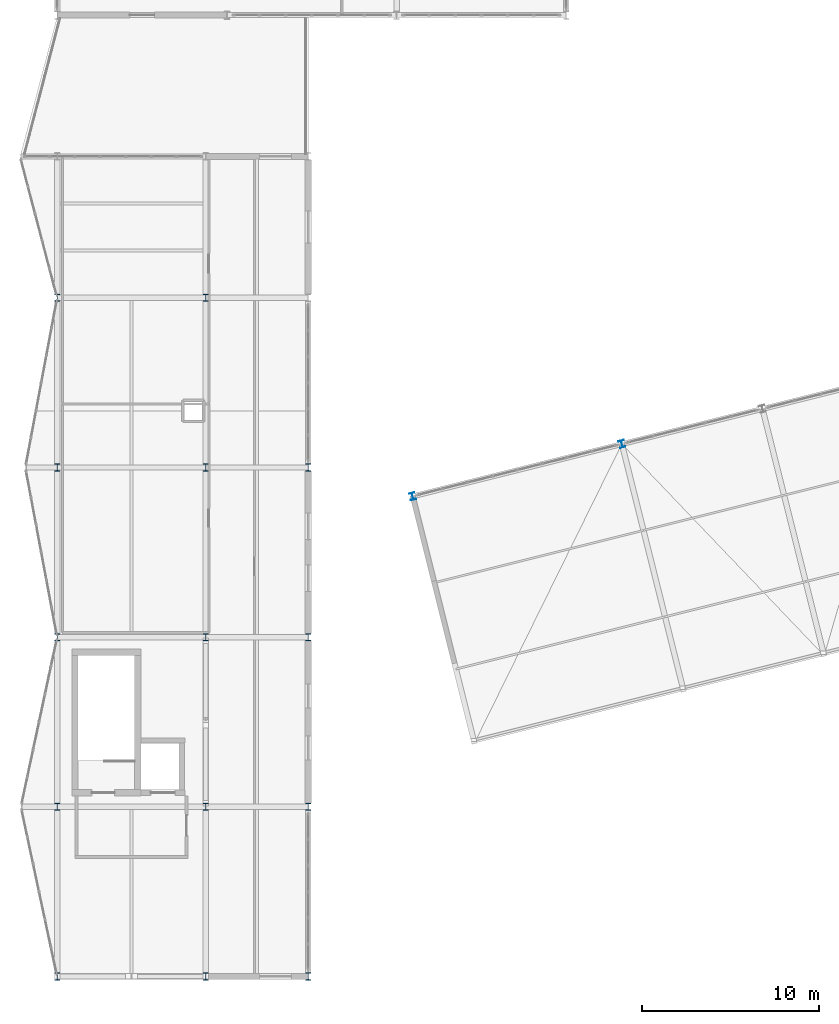
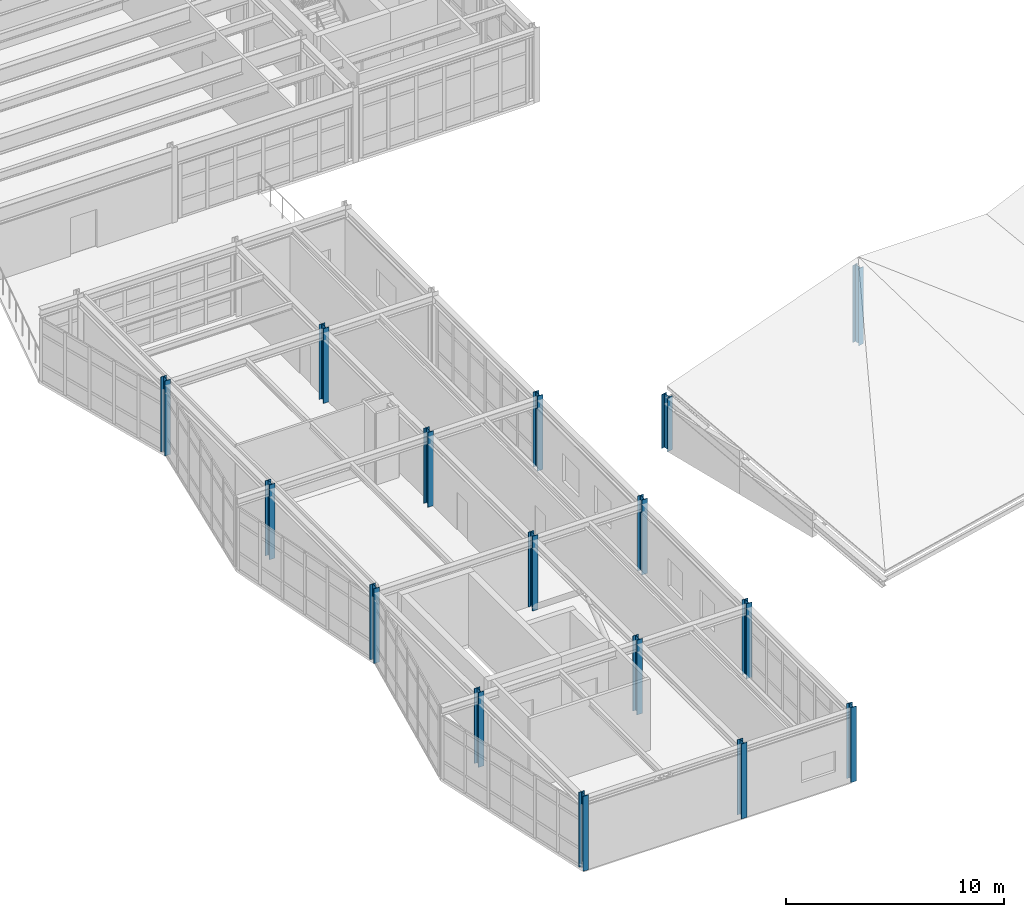
# One storey, part 1 of 47: 16 columns.
"""IFC4 building model written with IfcOpenShell, lengths in metres."""

from ifc_helpers import new_model, si_unit, direction, frame, origin, origin_2d, place, context, subcontext, project, spatial, i_section, extrude, material, material_profile, profile_set, type_object, element, save


model = new_model("IFC4")

# Units and contexts
model_context = context("Model", 3, precision=1e-05, world=origin(), true_north=direction((0.0, 1.0)))
body_context = subcontext(model_context, "Body", "Model", "MODEL_VIEW")
ifc_project = project(units=[si_unit("LENGTHUNIT", "METRE"), si_unit("AREAUNIT", "SQUARE_METRE"), si_unit("VOLUMEUNIT", "CUBIC_METRE"), si_unit("PLANEANGLEUNIT", "RADIAN"), si_unit("MASSUNIT", "GRAM", prefix="KILO")], contexts=[model_context])

# Site, building, storey
site_placement = place(None, origin())
site = spatial("IfcSite", under=ifc_project, at=site_placement, CompositionType="ELEMENT")
building_placement = place(site_placement, origin())
building = spatial("IfcBuilding", under=site, at=building_placement, Name="Nordkorset Police Headquarters", CompositionType="ELEMENT")
storey_placement = place(building_placement, frame((0.0, 0.0, 22.050048828125)))
storey = spatial("IfcBuildingStorey", under=building, at=storey_placement, Name="L05", CompositionType="ELEMENT", Elevation=22.050048828125)

# Columns
ifc_material = material(Name="Steel S355J2", Category="steel")
ifc_material_profile = material_profile(ifc_material, i_section(OverallWidth=0.300048828125, OverallDepth=0.39990234375, WebThickness=0.013427734375, FlangeThickness=0.02392578125, FilletRadius=0.027099609375, at=origin_2d()), Name="HEB 400")
ifc_profile_set = profile_set([ifc_material_profile], Name="Steel S355J2")
column_type = type_object("IfcColumnType", Name="Col_HEB_400", PredefinedType="COLUMN", material=ifc_profile_set)
for number, where, z_axis, x_axis, name in (
    (1, (0.0, 28.800048828125, 0.0), (0.0, 0.0, 1.0), (1.0, 0.0, 0.0), "Structural Column V3_X0_0 L05"),
    (2, (8.39990234375, 28.800048828125, 0.0), (0.0, 0.0, 1.0), (1.0, 0.0, 0.0), "Structural Column V3_X1_0 L05"),
    (3, (14.199951171875, 28.800048828125, 0.0), (0.0, 0.0, 1.0), (1.0, 0.0, 0.0), "Structural Column V3_X2_0 L05"),
    (4, (0.0, 38.39990234375, 0.0), (0.0, 0.0, 1.0), (1.0, 0.0, 0.0), "Structural Column V3_X0_1 L05"),
    (5, (8.39990234375, 38.39990234375, 0.0), (0.0, 0.0, 1.0), (1.0, 0.0, 0.0), "Structural Column V3_X1_1 L05"),
    (6, (14.199951171875, 38.39990234375, 0.0), (0.0, 0.0, 1.0), (1.0, 0.0, 0.0), "Structural Column V3_X2_1 L05"),
    (7, (0.0, 48.0, 0.0), (0.0, 0.0, 1.0), (1.0, 0.0, 0.0), "Structural Column V3_X0_2 L05"),
    (8, (8.39990234375, 48.0, 0.0), (0.0, 0.0, 1.0), (1.0, 0.0, 0.0), "Structural Column V3_X1_2 L05"),
    (9, (14.199951171875, 48.0, 0.0), (0.0, 0.0, 1.0), (1.0, 0.0, 0.0), "Structural Column V3_X2_2 L05"),
    (10, (0.0, 57.60009765625, 0.0), (0.0, 0.0, 1.0), (1.0, 0.0, 0.0), "Structural Column V3_X0_3 L05"),
    (11, (8.39990234375, 57.60009765625, 0.0), (0.0, 0.0, 1.0), (1.0, 0.0, 0.0), "Structural Column V3_X1_3 L05"),
    (12, (14.199951171875, 57.60009765625, 0.0), (0.0, 0.0, 1.0), (1.0, 0.0, 0.0), "Structural Column V3_X2_3 L05"),
    (13, (0.0, 67.199951171875, 0.0), (0.0, 0.0, 1.0), (1.0, 0.0, 0.0), "Structural Column V3_X0_4 L05"),
    (14, (8.39990234375, 67.199951171875, 0.0), (0.0, 0.0, 1.0), (1.0, 0.0, 0.0), "Structural Column V3_X1_4 L05"),
):
    element("IfcColumn", number, at=place(storey_placement, frame(where, z_axis=z_axis, x_axis=x_axis)), inside=storey, type_object=column_type, Name=name, PredefinedType="COLUMN", context=body_context, shape_type="SweptSolid", body=[
        extrude(i_section(OverallWidth=0.300048828125, OverallDepth=0.39990234375, WebThickness=0.013427734375, FlangeThickness=0.02392578125, FilletRadius=0.027099609375, at=origin_2d()), origin(), (0.0, 0.0, 1.0), 4.199951171875),
    ])
column_1_placement = place(storey_placement, frame((20.107421875, 55.969970703125, 0.0), z_axis=(0.0, 0.0, 1.0), x_axis=(0.970142500145, 0.242535625038, 0.0)))
element("IfcColumn", 15, at=column_1_placement, inside=storey, type_object=column_type, Name="Splayed Wing Clerestory Roof Column V4_U0_V1 L05", PredefinedType="COLUMN", context=body_context, shape_type="SweptSolid", body=[
    extrude(i_section(OverallWidth=0.300048828125, OverallDepth=0.39990234375, WebThickness=0.013427734375, FlangeThickness=0.02392578125, FilletRadius=0.027099609375, at=origin_2d()), origin(), (0.0, 0.0, 1.0), 3.02001953125),
])
column_2_placement = place(storey_placement, frame((31.943115234375, 58.928955078125, 0.0), z_axis=(0.0, 0.0, 1.0), x_axis=(0.970142500145, 0.242535625038, 0.0)))
element("IfcColumn", 16, at=column_2_placement, inside=storey, type_object=column_type, Name="Splayed Wing Clerestory Roof Column V4_U1_V1 L05", PredefinedType="COLUMN", context=body_context, shape_type="SweptSolid", body=[
    extrude(i_section(OverallWidth=0.300048828125, OverallDepth=0.39990234375, WebThickness=0.013427734375, FlangeThickness=0.02392578125, FilletRadius=0.027099609375, at=origin_2d()), origin(), (0.0, 0.0, 1.0), 4.320068359375),
])

save(model, "model.ifc")
